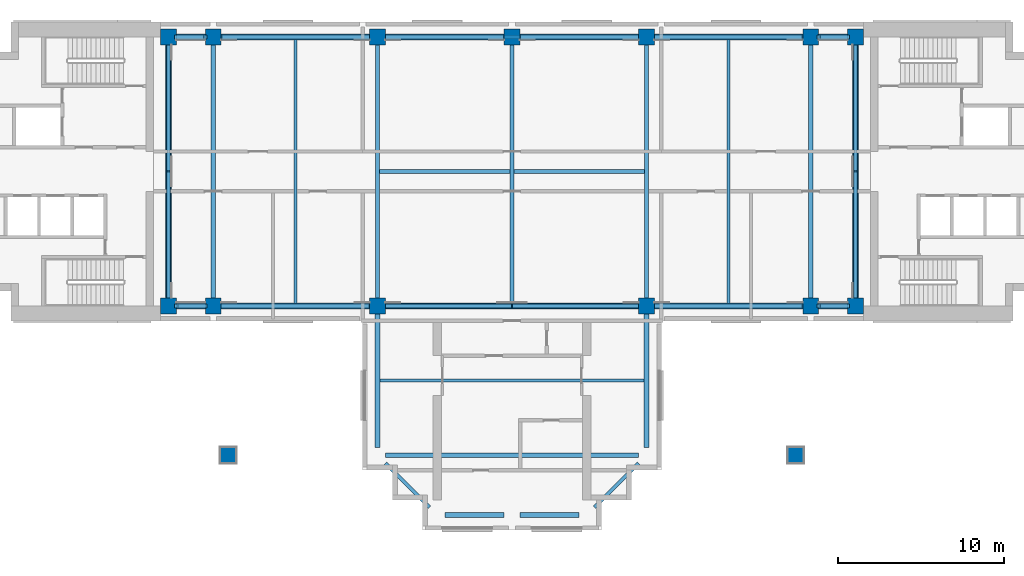
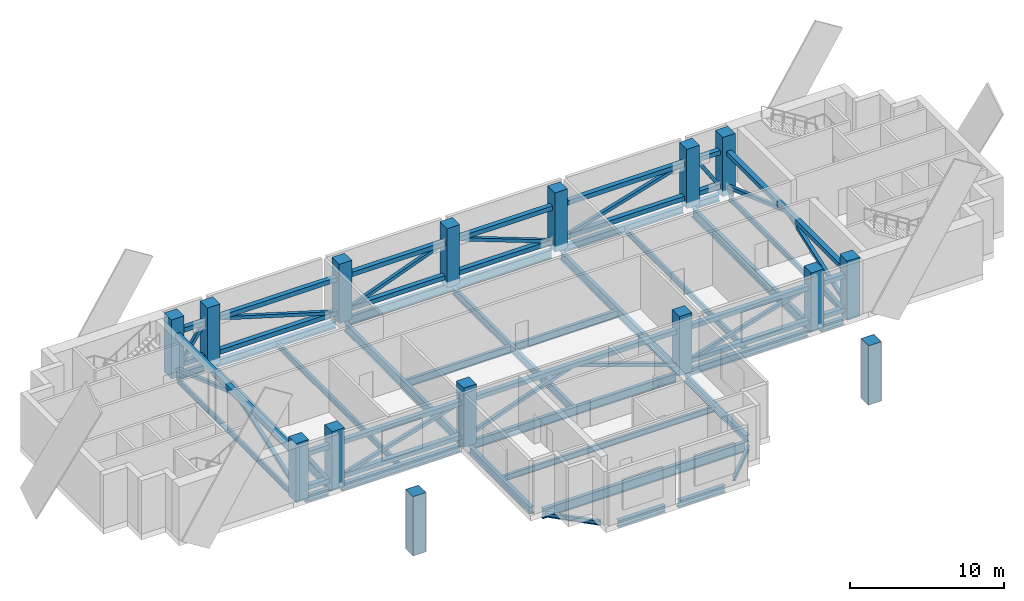
# One storey, part 1 of 8: 39 members, 29 beams, 15 columns.
"""IFC4 building model written with IfcOpenShell, lengths in metres."""

from ifc_helpers import new_model, si_unit, direction, frame, origin, origin_2d, place, context, subcontext, project, spatial, rectangle, hollow_rectangle, i_section, extrude, material, material_profile, profile_set, type_object, element, save


model = new_model("IFC4")

# Units and contexts
model_context = context("Model", 3, precision=1e-05, world=origin(), true_north=direction((0.0, 1.0)))
body_context = subcontext(model_context, "Body", "Model", "MODEL_VIEW")
ifc_project = project(units=[si_unit("LENGTHUNIT", "METRE"), si_unit("AREAUNIT", "SQUARE_METRE"), si_unit("VOLUMEUNIT", "CUBIC_METRE"), si_unit("PLANEANGLEUNIT", "RADIAN"), si_unit("MASSUNIT", "GRAM", prefix="KILO")], contexts=[model_context])

# Site, building, storey
site_placement = place(None, origin())
site = spatial("IfcSite", under=ifc_project, at=site_placement, CompositionType="ELEMENT")
building_placement = place(site_placement, origin())
building = spatial("IfcBuilding", under=site, at=building_placement, Name="Perihelion Cross Residences", CompositionType="ELEMENT")
storey_placement = place(building_placement, frame((0.0, 0.0, 228.0)))
storey = spatial("IfcBuildingStorey", under=building, at=storey_placement, Name="L57", CompositionType="ELEMENT", Elevation=228.0)

# Columns
ifc_material_1 = material(Name="Concrete C60/75", Category="concrete")
ifc_material_profile_1 = material_profile(ifc_material_1, rectangle(XDim=0.949951171875, YDim=0.949951171875, at=origin_2d()), Name="RC 950x950")
ifc_profile_set_1 = profile_set([ifc_material_profile_1], Name="Concrete C60/75")
column_type = type_object("IfcColumnType", Name="Reinforced concrete column 950x950 C60/75", PredefinedType="COLUMN", material=ifc_profile_set_1)
for number, where, z_axis, x_axis, name in (
    (1, (-20.699951171875, -8.10009765625, -0.449951171875), (0.0, 0.0, 1.0), (1.0, 0.0, 0.0), "Column C017 L57 no. 1"),
    (2, (-20.699951171875, 8.10009765625, -0.449951171875), (0.0, 0.0, 1.0), (1.0, 0.0, 0.0), "Column C010 L57 no. 1"),
    (3, (-18.0, -8.10009765625, -0.449951171875), (0.0, 0.0, 1.0), (1.0, 0.0, 0.0), "Column C018 L57 no. 1"),
    (4, (-18.0, 8.10009765625, -0.449951171875), (0.0, 0.0, 1.0), (1.0, 0.0, 0.0), "Column C011 L57 no. 1"),
    (5, (-8.10009765625, -8.10009765625, -0.449951171875), (0.0, 0.0, 1.0), (1.0, 0.0, 0.0), "Column C019 L57 no. 1"),
    (6, (-8.10009765625, 8.10009765625, -0.449951171875), (0.0, 0.0, 1.0), (1.0, 0.0, 0.0), "Column C012 L57 no. 1"),
    (7, (0.0, 8.10009765625, -0.449951171875), (0.0, 0.0, 1.0), (1.0, 0.0, 0.0), "Column C013 L57 no. 1"),
    (8, (8.10009765625, -8.10009765625, -0.449951171875), (0.0, 0.0, 1.0), (1.0, 0.0, 0.0), "Column C020 L57 no. 1"),
    (9, (8.10009765625, 8.10009765625, -0.449951171875), (0.0, 0.0, 1.0), (1.0, 0.0, 0.0), "Column C014 L57 no. 1"),
    (10, (18.0, -8.10009765625, -0.449951171875), (0.0, 0.0, 1.0), (1.0, 0.0, 0.0), "Column C021 L57 no. 1"),
    (11, (18.0, 8.10009765625, -0.449951171875), (0.0, 0.0, 1.0), (1.0, 0.0, 0.0), "Column C015 L57 no. 1"),
    (12, (20.699951171875, -8.10009765625, -0.449951171875), (0.0, 0.0, 1.0), (1.0, 0.0, 0.0), "Column C022 L57 no. 1"),
    (13, (20.699951171875, 8.10009765625, -0.449951171875), (0.0, 0.0, 1.0), (1.0, 0.0, 0.0), "Column C016 L57 no. 1"),
    (14, (-17.10009765625, -17.10009765625, -0.449951171875), (0.0, 0.0, 1.0), (1.0, 0.0, 0.0), "Column C030 L57 no. 1"),
    (15, (17.10009765625, -17.10009765625, -0.449951171875), (0.0, 0.0, 1.0), (1.0, 0.0, 0.0), "Column C036 L57 no. 1"),
):
    element("IfcColumn", number, at=place(storey_placement, frame(where, z_axis=z_axis, x_axis=x_axis)), inside=storey, type_object=column_type, Name=name, PredefinedType="COLUMN", context=body_context, shape_type="SweptSolid", body=[
        extrude(rectangle(XDim=0.949951171875, YDim=0.949951171875, at=origin_2d()), origin(), (0.0, 0.0, 1.0), 4.699951171875),
    ])

# Members
ifc_material_2 = material(Name="Steel S355", Category="steel")
ifc_material_profile_2 = material_profile(ifc_material_2, hollow_rectangle(XDim=0.35595703125, YDim=0.35595703125, WallThickness=0.015869140625, at=origin_2d()), Name="HSS355.6x355.6x15.9")
ifc_profile_set_2 = profile_set([ifc_material_profile_2], Name="Steel S355")
member_type_1 = type_object("IfcMemberType", Name="Belt truss chord HSS355.6x355.6x15.9", PredefinedType="CHORD", material=ifc_profile_set_2)
for number, where, z_axis, x_axis, name in (
    (16, (20.22509765625, 8.10009765625, 2.8720703125), (-1.0, 0.0, 0.0), (0.0, -1.0, 0.0), "Belt truss BT5 L57 top no. 11"),
    (17, (20.22509765625, 8.10009765625, 0.177978515625), (-1.0, 0.0, 0.0), (0.0, -1.0, 0.0), "Belt truss BT5 L57 bottom no. 8"),
):
    element("IfcMember", number, at=place(storey_placement, frame(where, z_axis=z_axis, x_axis=x_axis)), inside=storey, type_object=member_type_1, Name=name, PredefinedType="CHORD", context=body_context, shape_type="SweptSolid", body=[
        extrude(hollow_rectangle(XDim=0.35595703125, YDim=0.35595703125, WallThickness=0.015869140625, at=origin_2d()), origin(), (0.0, 0.0, 1.0), 1.75),
    ])
for number, where, z_axis, x_axis, name in (
    (18, (17.52490234375, 8.10009765625, 2.8720703125), (-1.0, 0.0, 0.0), (0.0, -1.0, 0.0), "Belt truss BT5 L57 top no. 9"),
    (19, (17.52490234375, 8.10009765625, 0.177978515625), (-1.0, 0.0, 0.0), (0.0, -1.0, 0.0), "Belt truss BT5 L57 bottom no. 7"),
):
    element("IfcMember", number, at=place(storey_placement, frame(where, z_axis=z_axis, x_axis=x_axis)), inside=storey, type_object=member_type_1, Name=name, PredefinedType="CHORD", context=body_context, shape_type="SweptSolid", body=[
        extrude(hollow_rectangle(XDim=0.35595703125, YDim=0.35595703125, WallThickness=0.015869140625, at=origin_2d()), origin(), (0.0, 0.0, 1.0), 8.949951171875),
    ])
for number, where, z_axis, x_axis, name in (
    (20, (7.625, 8.10009765625, 2.8720703125), (-1.0, 0.0, 0.0), (0.0, -1.0, 0.0), "Belt truss BT5 L57 top no. 13"),
    (21, (7.625, 8.10009765625, 0.177978515625), (-1.0, 0.0, 0.0), (0.0, -1.0, 0.0), "Belt truss BT5 L57 bottom no. 10"),
    (22, (-0.47509765625, 8.10009765625, 2.8720703125), (-1.0, 0.0, 0.0), (0.0, -1.0, 0.0), "Belt truss BT5 L57 top no. 7"),
    (23, (-0.47509765625, 8.10009765625, 0.177978515625), (-1.0, 0.0, 0.0), (0.0, -1.0, 0.0), "Belt truss BT5 L57 bottom no. 5"),
):
    element("IfcMember", number, at=place(storey_placement, frame(where, z_axis=z_axis, x_axis=x_axis)), inside=storey, type_object=member_type_1, Name=name, PredefinedType="CHORD", context=body_context, shape_type="SweptSolid", body=[
        extrude(hollow_rectangle(XDim=0.35595703125, YDim=0.35595703125, WallThickness=0.015869140625, at=origin_2d()), origin(), (0.0, 0.0, 1.0), 7.14990234375),
    ])
for number, where, z_axis, x_axis, name in (
    (24, (-8.574951171875, 8.10009765625, 2.8720703125), (-1.0, 0.0, 0.0), (0.0, -1.0, 0.0), "Belt truss BT5 L57 top no. 6"),
    (25, (-8.574951171875, 8.10009765625, 0.177978515625), (-1.0, 0.0, 0.0), (0.0, -1.0, 0.0), "Belt truss BT5 L57 bottom no. 4"),
):
    element("IfcMember", number, at=place(storey_placement, frame(where, z_axis=z_axis, x_axis=x_axis)), inside=storey, type_object=member_type_1, Name=name, PredefinedType="CHORD", context=body_context, shape_type="SweptSolid", body=[
        extrude(hollow_rectangle(XDim=0.35595703125, YDim=0.35595703125, WallThickness=0.015869140625, at=origin_2d()), origin(), (0.0, 0.0, 1.0), 8.949951171875),
    ])
for number, where, z_axis, x_axis, name in (
    (26, (-18.47509765625, 8.10009765625, 2.8720703125), (-1.0, 0.0, 0.0), (0.0, -1.0, 0.0), "Belt truss BT5 L57 top no. 2"),
    (27, (-18.47509765625, 8.10009765625, 0.177978515625), (-1.0, 0.0, 0.0), (0.0, -1.0, 0.0), "Belt truss BT5 L57 bottom no. 2"),
):
    element("IfcMember", number, at=place(storey_placement, frame(where, z_axis=z_axis, x_axis=x_axis)), inside=storey, type_object=member_type_1, Name=name, PredefinedType="CHORD", context=body_context, shape_type="SweptSolid", body=[
        extrude(hollow_rectangle(XDim=0.35595703125, YDim=0.35595703125, WallThickness=0.015869140625, at=origin_2d()), origin(), (0.0, 0.0, 1.0), 1.75),
    ])
member_1_placement = place(storey_placement, frame((-20.699951171875, 7.625, 2.8720703125), z_axis=(0.0, -1.0, 0.0), x_axis=(1.0, 0.0, 0.0)))
element("IfcMember", 28, at=member_1_placement, inside=storey, type_object=member_type_1, Name="Belt truss BT5 L57 top no. 4", PredefinedType="CHORD", context=body_context, shape_type="SweptSolid", body=[
    extrude(hollow_rectangle(XDim=0.35595703125, YDim=0.35595703125, WallThickness=0.015869140625, at=origin_2d()), origin(), (0.0, 0.0, 1.0), 15.25),
])
for number, where, z_axis, x_axis, name in (
    (29, (-20.22509765625, -8.10009765625, 2.8720703125), (1.0, 0.0, 0.0), (0.0, 1.0, 0.0), "Belt truss BT5 L57 top no. 3"),
    (30, (-20.22509765625, -8.10009765625, 0.177978515625), (1.0, 0.0, 0.0), (0.0, 1.0, 0.0), "Belt truss BT5 L57 bottom no. 3"),
):
    element("IfcMember", number, at=place(storey_placement, frame(where, z_axis=z_axis, x_axis=x_axis)), inside=storey, type_object=member_type_1, Name=name, PredefinedType="CHORD", context=body_context, shape_type="SweptSolid", body=[
        extrude(hollow_rectangle(XDim=0.35595703125, YDim=0.35595703125, WallThickness=0.015869140625, at=origin_2d()), origin(), (0.0, 0.0, 1.0), 1.75),
    ])
for number, where, z_axis, x_axis, name in (
    (31, (-17.52490234375, -8.10009765625, 2.8720703125), (1.0, 0.0, 0.0), (0.0, 1.0, 0.0), "Belt truss BT5 L57 top no. 1"),
    (32, (-17.52490234375, -8.10009765625, 0.177978515625), (1.0, 0.0, 0.0), (0.0, 1.0, 0.0), "Belt truss BT5 L57 bottom no. 1"),
):
    element("IfcMember", number, at=place(storey_placement, frame(where, z_axis=z_axis, x_axis=x_axis)), inside=storey, type_object=member_type_1, Name=name, PredefinedType="CHORD", context=body_context, shape_type="SweptSolid", body=[
        extrude(hollow_rectangle(XDim=0.35595703125, YDim=0.35595703125, WallThickness=0.015869140625, at=origin_2d()), origin(), (0.0, 0.0, 1.0), 8.949951171875),
    ])
member_2_placement = place(storey_placement, frame((-7.625, -8.10009765625, 2.8720703125), z_axis=(1.0, 0.0, 0.0), x_axis=(0.0, 1.0, 0.0)))
element("IfcMember", 33, at=member_2_placement, inside=storey, type_object=member_type_1, Name="Belt truss BT5 L57 top no. 5", PredefinedType="CHORD", context=body_context, shape_type="SweptSolid", body=[
    extrude(hollow_rectangle(XDim=0.35595703125, YDim=0.35595703125, WallThickness=0.015869140625, at=origin_2d()), origin(), (0.0, 0.0, 1.0), 15.25),
])
for number, where, z_axis, x_axis, name in (
    (34, (8.574951171875, -8.10009765625, 2.8720703125), (1.0, 0.0, 0.0), (0.0, 1.0, 0.0), "Belt truss BT5 L57 top no. 12"),
    (35, (8.574951171875, -8.10009765625, 0.177978515625), (1.0, 0.0, 0.0), (0.0, 1.0, 0.0), "Belt truss BT5 L57 bottom no. 9"),
):
    element("IfcMember", number, at=place(storey_placement, frame(where, z_axis=z_axis, x_axis=x_axis)), inside=storey, type_object=member_type_1, Name=name, PredefinedType="CHORD", context=body_context, shape_type="SweptSolid", body=[
        extrude(hollow_rectangle(XDim=0.35595703125, YDim=0.35595703125, WallThickness=0.015869140625, at=origin_2d()), origin(), (0.0, 0.0, 1.0), 8.949951171875),
    ])
for number, where, z_axis, x_axis, name in (
    (36, (18.47509765625, -8.10009765625, 2.8720703125), (1.0, 0.0, 0.0), (0.0, 1.0, 0.0), "Belt truss BT5 L57 top no. 8"),
    (37, (18.47509765625, -8.10009765625, 0.177978515625), (1.0, 0.0, 0.0), (0.0, 1.0, 0.0), "Belt truss BT5 L57 bottom no. 6"),
):
    element("IfcMember", number, at=place(storey_placement, frame(where, z_axis=z_axis, x_axis=x_axis)), inside=storey, type_object=member_type_1, Name=name, PredefinedType="CHORD", context=body_context, shape_type="SweptSolid", body=[
        extrude(hollow_rectangle(XDim=0.35595703125, YDim=0.35595703125, WallThickness=0.015869140625, at=origin_2d()), origin(), (0.0, 0.0, 1.0), 1.75),
    ])
member_3_placement = place(storey_placement, frame((20.699951171875, -7.625, 2.8720703125), z_axis=(0.0, 1.0, 0.0), x_axis=(-1.0, 0.0, 0.0)))
element("IfcMember", 38, at=member_3_placement, inside=storey, type_object=member_type_1, Name="Belt truss BT5 L57 top no. 10", PredefinedType="CHORD", context=body_context, shape_type="SweptSolid", body=[
    extrude(hollow_rectangle(XDim=0.35595703125, YDim=0.35595703125, WallThickness=0.015869140625, at=origin_2d()), origin(), (0.0, 0.0, 1.0), 15.25),
])
ifc_material_3 = material(Name="Steel S355", Category="steel")
ifc_material_profile_3 = material_profile(ifc_material_3, hollow_rectangle(XDim=0.25390625, YDim=0.25390625, WallThickness=0.0126953125, at=origin_2d()), Name="HSS254x254x12.7")
ifc_profile_set_3 = profile_set([ifc_material_profile_3], Name="Steel S355")
member_type_2 = type_object("IfcMemberType", Name="Belt truss diagonal HSS254x254x12.7", PredefinedType="BRACE", material=ifc_profile_set_3)
member_4_placement = place(storey_placement, frame((20.22509765625, 8.10009765625, 0.177978515625), z_axis=(-0.544734562652, 0.0, 0.838608523837), x_axis=(0.0, -1.0, 0.0)))
element("IfcMember", 39, at=member_4_placement, inside=storey, type_object=member_type_2, Name="Belt truss BT6 L57 diagonal no. 8", PredefinedType="BRACE", context=body_context, shape_type="SweptSolid", body=[
    extrude(hollow_rectangle(XDim=0.25390625, YDim=0.25390625, WallThickness=0.0126953125, at=origin_2d()), origin(), (0.0, 0.0, 1.0), 3.212646484375),
])
member_5_placement = place(storey_placement, frame((8.574951171875, 8.10009765625, 0.177978515625), z_axis=(0.957557711888, 0.0, 0.288241614629), x_axis=(0.0, 1.0, 0.0)))
element("IfcMember", 40, at=member_5_placement, inside=storey, type_object=member_type_2, Name="Belt truss BT6 L57 diagonal no. 7", PredefinedType="BRACE", context=body_context, shape_type="SweptSolid", body=[
    extrude(hollow_rectangle(XDim=0.25390625, YDim=0.25390625, WallThickness=0.0126953125, at=origin_2d()), origin(), (0.0, 0.0, 1.0), 9.3466796875),
])
for number, where, z_axis, x_axis, name in (
    (41, (7.625, 8.10009765625, 0.177978515625), (-0.935773868697, 0.0, 0.352600718468), (0.0, -1.0, 0.0), "Belt truss BT6 L57 diagonal no. 10"),
    (42, (-7.625, 8.10009765625, 0.177978515625), (0.935773868697, 0.0, 0.352600718468), (0.0, 1.0, 0.0), "Belt truss BT6 L57 diagonal no. 5"),
):
    element("IfcMember", number, at=place(storey_placement, frame(where, z_axis=z_axis, x_axis=x_axis)), inside=storey, type_object=member_type_2, Name=name, PredefinedType="BRACE", context=body_context, shape_type="SweptSolid", body=[
        extrude(hollow_rectangle(XDim=0.25390625, YDim=0.25390625, WallThickness=0.0126953125, at=origin_2d()), origin(), (0.0, 0.0, 1.0), 7.640625),
    ])
member_6_placement = place(storey_placement, frame((-8.574951171875, 8.10009765625, 0.177978515625), z_axis=(-0.957557711888, 0.0, 0.288241614629), x_axis=(0.0, -1.0, 0.0)))
element("IfcMember", 43, at=member_6_placement, inside=storey, type_object=member_type_2, Name="Belt truss BT6 L57 diagonal no. 4", PredefinedType="BRACE", context=body_context, shape_type="SweptSolid", body=[
    extrude(hollow_rectangle(XDim=0.25390625, YDim=0.25390625, WallThickness=0.0126953125, at=origin_2d()), origin(), (0.0, 0.0, 1.0), 9.3466796875),
])
member_7_placement = place(storey_placement, frame((-20.22509765625, 8.10009765625, 0.177978515625), z_axis=(0.544734562652, 0.0, 0.838608523837), x_axis=(0.0, 1.0, 0.0)))
element("IfcMember", 44, at=member_7_placement, inside=storey, type_object=member_type_2, Name="Belt truss BT6 L57 diagonal no. 2", PredefinedType="BRACE", context=body_context, shape_type="SweptSolid", body=[
    extrude(hollow_rectangle(XDim=0.25390625, YDim=0.25390625, WallThickness=0.0126953125, at=origin_2d()), origin(), (0.0, 0.0, 1.0), 3.212646484375),
])
for number, where, z_axis, x_axis, name in (
    (45, (-20.699951171875, 7.625, 0.177978515625), (0.0, -0.942877138298, 0.333140664098), (1.0, 0.0, 0.0), "Belt truss BT6 L57 diagonal A no. 1"),
    (46, (-20.699951171875, -7.625, 0.177978515625), (0.0, 0.942877138298, 0.333140664098), (-1.0, 0.0, 0.0), "Belt truss BT6 L57 diagonal B no. 1"),
):
    element("IfcMember", number, at=place(storey_placement, frame(where, z_axis=z_axis, x_axis=x_axis)), inside=storey, type_object=member_type_2, Name=name, PredefinedType="BRACE", context=body_context, shape_type="SweptSolid", body=[
        extrude(hollow_rectangle(XDim=0.25390625, YDim=0.25390625, WallThickness=0.0126953125, at=origin_2d()), origin(), (0.0, 0.0, 1.0), 8.0869140625),
    ])
member_8_placement = place(storey_placement, frame((-18.47509765625, -8.10009765625, 0.177978515625), z_axis=(-0.544734562652, 0.0, 0.838608523837), x_axis=(0.0, -1.0, 0.0)))
element("IfcMember", 47, at=member_8_placement, inside=storey, type_object=member_type_2, Name="Belt truss BT6 L57 diagonal no. 3", PredefinedType="BRACE", context=body_context, shape_type="SweptSolid", body=[
    extrude(hollow_rectangle(XDim=0.25390625, YDim=0.25390625, WallThickness=0.0126953125, at=origin_2d()), origin(), (0.0, 0.0, 1.0), 3.212646484375),
])
member_9_placement = place(storey_placement, frame((-17.52490234375, -8.10009765625, 0.177978515625), z_axis=(0.957557711888, 0.0, 0.288241614629), x_axis=(0.0, 1.0, 0.0)))
element("IfcMember", 48, at=member_9_placement, inside=storey, type_object=member_type_2, Name="Belt truss BT6 L57 diagonal no. 1", PredefinedType="BRACE", context=body_context, shape_type="SweptSolid", body=[
    extrude(hollow_rectangle(XDim=0.25390625, YDim=0.25390625, WallThickness=0.0126953125, at=origin_2d()), origin(), (0.0, 0.0, 1.0), 9.3466796875),
])
for number, where, z_axis, x_axis, name in (
    (49, (-7.625, -8.10009765625, 0.177978515625), (0.942877138298, 0.0, 0.333140664098), (0.0, 1.0, 0.0), "Belt truss BT6 L57 diagonal A no. 2"),
    (50, (7.625, -8.10009765625, 0.177978515625), (-0.942877138298, 0.0, 0.333140664098), (0.0, -1.0, 0.0), "Belt truss BT6 L57 diagonal B no. 2"),
):
    element("IfcMember", number, at=place(storey_placement, frame(where, z_axis=z_axis, x_axis=x_axis)), inside=storey, type_object=member_type_2, Name=name, PredefinedType="BRACE", context=body_context, shape_type="SweptSolid", body=[
        extrude(hollow_rectangle(XDim=0.25390625, YDim=0.25390625, WallThickness=0.0126953125, at=origin_2d()), origin(), (0.0, 0.0, 1.0), 8.0869140625),
    ])
member_10_placement = place(storey_placement, frame((8.574951171875, -8.10009765625, 0.177978515625), z_axis=(0.957557711888, 0.0, 0.288241614629), x_axis=(0.0, 1.0, 0.0)))
element("IfcMember", 51, at=member_10_placement, inside=storey, type_object=member_type_2, Name="Belt truss BT6 L57 diagonal no. 9", PredefinedType="BRACE", context=body_context, shape_type="SweptSolid", body=[
    extrude(hollow_rectangle(XDim=0.25390625, YDim=0.25390625, WallThickness=0.0126953125, at=origin_2d()), origin(), (0.0, 0.0, 1.0), 9.3466796875),
])
member_11_placement = place(storey_placement, frame((20.22509765625, -8.10009765625, 0.177978515625), z_axis=(-0.544734562652, 0.0, 0.838608523837), x_axis=(0.0, -1.0, 0.0)))
element("IfcMember", 52, at=member_11_placement, inside=storey, type_object=member_type_2, Name="Belt truss BT6 L57 diagonal no. 6", PredefinedType="BRACE", context=body_context, shape_type="SweptSolid", body=[
    extrude(hollow_rectangle(XDim=0.25390625, YDim=0.25390625, WallThickness=0.0126953125, at=origin_2d()), origin(), (0.0, 0.0, 1.0), 3.212646484375),
])
for number, where, z_axis, x_axis, name in (
    (53, (20.699951171875, -7.625, 0.177978515625), (0.0, 0.942877138298, 0.333140664098), (-1.0, 0.0, 0.0), "Belt truss BT6 L57 diagonal A no. 3"),
    (54, (20.699951171875, 7.625, 0.177978515625), (0.0, -0.942877138298, 0.333140664098), (1.0, 0.0, 0.0), "Belt truss BT6 L57 diagonal B no. 3"),
):
    element("IfcMember", number, at=place(storey_placement, frame(where, z_axis=z_axis, x_axis=x_axis)), inside=storey, type_object=member_type_2, Name=name, PredefinedType="BRACE", context=body_context, shape_type="SweptSolid", body=[
        extrude(hollow_rectangle(XDim=0.25390625, YDim=0.25390625, WallThickness=0.0126953125, at=origin_2d()), origin(), (0.0, 0.0, 1.0), 8.0869140625),
    ])

# Beams
ifc_material_4 = material(Name="Steel S355", Category="steel")
ifc_material_profile_4 = material_profile(ifc_material_4, i_section(OverallWidth=0.180908203125, OverallDepth=0.4169921875, WebThickness=0.010986328125, FlangeThickness=0.018310546875, at=origin_2d()), Name="W410x85")
ifc_profile_set_4 = profile_set([ifc_material_profile_4], Name="Steel S355")
beam_type_1 = type_object("IfcBeamType", Name="Core edge beam W410x85", PredefinedType="BEAM", material=ifc_profile_set_4)
for number, where, z_axis, x_axis, name in (
    (55, (20.699951171875, -7.625, -0.658447265625), (0.0, 1.0, 0.0), (-1.0, 0.0, 0.0), "Core edge beam TB6 L57 no. 2"),
    (56, (-20.699951171875, -7.625, -0.658447265625), (0.0, 1.0, 0.0), (-1.0, 0.0, 0.0), "Core edge beam TB6 L57 no. 1"),
):
    element("IfcBeam", number, at=place(storey_placement, frame(where, z_axis=z_axis, x_axis=x_axis)), inside=storey, type_object=beam_type_1, Name=name, PredefinedType="BEAM", context=body_context, shape_type="SweptSolid", body=[
        extrude(i_section(OverallWidth=0.180908203125, OverallDepth=0.4169921875, WebThickness=0.010986328125, FlangeThickness=0.018310546875, at=origin_2d()), origin(), (0.0, 0.0, 1.0), 15.25),
    ])
ifc_material_5 = material(Name="Steel S355", Category="steel")
ifc_material_profile_5 = material_profile(ifc_material_5, i_section(OverallWidth=0.31201171875, OverallDepth=0.5439453125, WebThickness=0.0126953125, FlangeThickness=0.020263671875, at=origin_2d()), Name="W530x150")
ifc_profile_set_5 = profile_set([ifc_material_profile_5], Name="Steel S355")
beam_type_2 = type_object("IfcBeamType", Name="Edge beam W530x150", PredefinedType="SPANDREL", material=ifc_profile_set_5)
beam_1_placement = place(storey_placement, frame((20.22509765625, 8.10009765625, -0.721923828125), z_axis=(-1.0, 0.0, 0.0), x_axis=(0.0, -1.0, 0.0)))
element("IfcBeam", 57, at=beam_1_placement, inside=storey, type_object=beam_type_2, Name="Edge beam SB4 L57 no. 10", PredefinedType="SPANDREL", context=body_context, shape_type="SweptSolid", body=[
    extrude(i_section(OverallWidth=0.31201171875, OverallDepth=0.5439453125, WebThickness=0.0126953125, FlangeThickness=0.020263671875, at=origin_2d()), origin(), (0.0, 0.0, 1.0), 1.75),
])
for number, where, z_axis, x_axis, name in (
    (58, (17.52490234375, 8.10009765625, -0.721923828125), (-1.0, 0.0, 0.0), (0.0, -1.0, 0.0), "Edge beam SB4 L57 no. 9"),
    (59, (-8.574951171875, 8.10009765625, -0.721923828125), (-1.0, 0.0, 0.0), (0.0, -1.0, 0.0), "Edge beam SB4 L57 no. 6"),
):
    element("IfcBeam", number, at=place(storey_placement, frame(where, z_axis=z_axis, x_axis=x_axis)), inside=storey, type_object=beam_type_2, Name=name, PredefinedType="SPANDREL", context=body_context, shape_type="SweptSolid", body=[
        extrude(i_section(OverallWidth=0.31201171875, OverallDepth=0.5439453125, WebThickness=0.0126953125, FlangeThickness=0.020263671875, at=origin_2d()), origin(), (0.0, 0.0, 1.0), 8.949951171875),
    ])
for number, where, z_axis, x_axis, name in (
    (60, (-18.47509765625, 8.10009765625, -0.721923828125), (-1.0, 0.0, 0.0), (0.0, -1.0, 0.0), "Edge beam SB4 L57 no. 2"),
    (61, (-20.22509765625, -8.10009765625, -0.721923828125), (1.0, 0.0, 0.0), (0.0, 1.0, 0.0), "Edge beam SB4 L57 no. 3"),
):
    element("IfcBeam", number, at=place(storey_placement, frame(where, z_axis=z_axis, x_axis=x_axis)), inside=storey, type_object=beam_type_2, Name=name, PredefinedType="SPANDREL", context=body_context, shape_type="SweptSolid", body=[
        extrude(i_section(OverallWidth=0.31201171875, OverallDepth=0.5439453125, WebThickness=0.0126953125, FlangeThickness=0.020263671875, at=origin_2d()), origin(), (0.0, 0.0, 1.0), 1.75),
    ])
beam_2_placement = place(storey_placement, frame((-17.52490234375, -8.10009765625, -0.721923828125), z_axis=(1.0, 0.0, 0.0), x_axis=(0.0, 1.0, 0.0)))
element("IfcBeam", 62, at=beam_2_placement, inside=storey, type_object=beam_type_2, Name="Edge beam SB4 L57 no. 1", PredefinedType="SPANDREL", context=body_context, shape_type="SweptSolid", body=[
    extrude(i_section(OverallWidth=0.31201171875, OverallDepth=0.5439453125, WebThickness=0.0126953125, FlangeThickness=0.020263671875, at=origin_2d()), origin(), (0.0, 0.0, 1.0), 8.949951171875),
])
beam_3_placement = place(storey_placement, frame((-8.10009765625, -8.574951171875, -0.721923828125), z_axis=(0.0, -1.0, 0.0), x_axis=(1.0, 0.0, 0.0)))
element("IfcBeam", 63, at=beam_3_placement, inside=storey, type_object=beam_type_2, Name="Edge beam SB4 L57 no. 5", PredefinedType="SPANDREL", context=body_context, shape_type="SweptSolid", body=[
    extrude(i_section(OverallWidth=0.31201171875, OverallDepth=0.5439453125, WebThickness=0.0126953125, FlangeThickness=0.020263671875, at=origin_2d()), origin(), (0.0, 0.0, 1.0), 8.050048828125),
])
for number, where, z_axis, x_axis, name in (
    (64, (-4.02490234375, -20.699951171875, -0.721923828125), (1.0, 0.0, 0.0), (0.0, 1.0, 0.0), "Edge beam SB4 L57 no. 4"),
    (65, (0.47509765625, -20.699951171875, -0.721923828125), (1.0, 0.0, 0.0), (0.0, 1.0, 0.0), "Edge beam SB4 L57 no. 7"),
):
    element("IfcBeam", number, at=place(storey_placement, frame(where, z_axis=z_axis, x_axis=x_axis)), inside=storey, type_object=beam_type_2, Name=name, PredefinedType="SPANDREL", context=body_context, shape_type="SweptSolid", body=[
        extrude(i_section(OverallWidth=0.31201171875, OverallDepth=0.5439453125, WebThickness=0.0126953125, FlangeThickness=0.020263671875, at=origin_2d()), origin(), (0.0, 0.0, 1.0), 3.5498046875),
    ])
beam_4_placement = place(storey_placement, frame((8.10009765625, -16.625, -0.721923828125), z_axis=(0.0, 1.0, 0.0), x_axis=(-1.0, 0.0, 0.0)))
element("IfcBeam", 66, at=beam_4_placement, inside=storey, type_object=beam_type_2, Name="Edge beam SB4 L57 no. 11", PredefinedType="SPANDREL", context=body_context, shape_type="SweptSolid", body=[
    extrude(i_section(OverallWidth=0.31201171875, OverallDepth=0.5439453125, WebThickness=0.0126953125, FlangeThickness=0.020263671875, at=origin_2d()), origin(), (0.0, 0.0, 1.0), 8.050048828125),
])
beam_5_placement = place(storey_placement, frame((8.574951171875, -8.10009765625, -0.721923828125), z_axis=(1.0, 0.0, 0.0), x_axis=(0.0, 1.0, 0.0)))
element("IfcBeam", 67, at=beam_5_placement, inside=storey, type_object=beam_type_2, Name="Edge beam SB4 L57 no. 12", PredefinedType="SPANDREL", context=body_context, shape_type="SweptSolid", body=[
    extrude(i_section(OverallWidth=0.31201171875, OverallDepth=0.5439453125, WebThickness=0.0126953125, FlangeThickness=0.020263671875, at=origin_2d()), origin(), (0.0, 0.0, 1.0), 8.949951171875),
])
beam_6_placement = place(storey_placement, frame((18.47509765625, -8.10009765625, -0.721923828125), z_axis=(1.0, 0.0, 0.0), x_axis=(0.0, 1.0, 0.0)))
element("IfcBeam", 68, at=beam_6_placement, inside=storey, type_object=beam_type_2, Name="Edge beam SB4 L57 no. 8", PredefinedType="SPANDREL", context=body_context, shape_type="SweptSolid", body=[
    extrude(i_section(OverallWidth=0.31201171875, OverallDepth=0.5439453125, WebThickness=0.0126953125, FlangeThickness=0.020263671875, at=origin_2d()), origin(), (0.0, 0.0, 1.0), 1.75),
])
ifc_material_6 = material(Name="Steel S355", Category="steel")
ifc_material_profile_6 = material_profile(ifc_material_6, i_section(OverallWidth=0.26708984375, OverallDepth=0.77001953125, WebThickness=0.015625, FlangeThickness=0.025390625, at=origin_2d()), Name="W760x196")
ifc_profile_set_6 = profile_set([ifc_material_profile_6], Name="Steel S355")
beam_type_3 = type_object("IfcBeamType", Name="Floor girder W760x196", PredefinedType="BEAM", material=ifc_profile_set_6)
for number, where, z_axis, x_axis, name in (
    (69, (18.0, -7.625, -0.8349609375), (0.0, 1.0, 0.0), (-1.0, 0.0, 0.0), "Girder G4 L57 no. 2"),
    (70, (-7.625, -17.10009765625, -0.8349609375), (1.0, 0.0, 0.0), (0.0, 1.0, 0.0), "Girder G4 L57 no. 3"),
    (71, (-18.0, -7.625, -0.8349609375), (0.0, 1.0, 0.0), (-1.0, 0.0, 0.0), "Girder G4 L57 no. 1"),
):
    element("IfcBeam", number, at=place(storey_placement, frame(where, z_axis=z_axis, x_axis=x_axis)), inside=storey, type_object=beam_type_3, Name=name, PredefinedType="BEAM", context=body_context, shape_type="SweptSolid", body=[
        extrude(i_section(OverallWidth=0.26708984375, OverallDepth=0.77001953125, WebThickness=0.015625, FlangeThickness=0.025390625, at=origin_2d()), origin(), (0.0, 0.0, 1.0), 15.25),
    ])
ifc_material_7 = material(Name="Steel S355", Category="steel")
ifc_material_profile_7 = material_profile(ifc_material_7, i_section(OverallWidth=0.19091796875, OverallDepth=0.45703125, WebThickness=0.009033203125, FlangeThickness=0.014404296875, at=origin_2d()), Name="W460x74")
ifc_profile_set_7 = profile_set([ifc_material_profile_7], Name="Steel S355")
beam_type_4 = type_object("IfcBeamType", Name="Floor joist W460x74", PredefinedType="JOIST", material=ifc_profile_set_7)
for number, where, z_axis, x_axis, name in (
    (72, (13.050048828125, -7.944091796875, -0.678466796875), (0.0, 1.0, 0.0), (-1.0, 0.0, 0.0), "Joist J5 L57 no. 2"),
    (73, (-7.944091796875, -12.60009765625, -0.678466796875), (1.0, 0.0, 0.0), (0.0, 1.0, 0.0), "Joist J5 L57 no. 3"),
    (74, (-13.050048828125, -7.944091796875, -0.678466796875), (0.0, 1.0, 0.0), (-1.0, 0.0, 0.0), "Joist J5 L57 no. 1"),
):
    element("IfcBeam", number, at=place(storey_placement, frame(where, z_axis=z_axis, x_axis=x_axis)), inside=storey, type_object=beam_type_4, Name=name, PredefinedType="JOIST", context=body_context, shape_type="SweptSolid", body=[
        extrude(i_section(OverallWidth=0.19091796875, OverallDepth=0.45703125, WebThickness=0.009033203125, FlangeThickness=0.014404296875, at=origin_2d()), origin(), (0.0, 0.0, 1.0), 15.88818359375),
    ])
ifc_material_8 = material(Name="Steel S355", Category="steel")
ifc_material_profile_8 = material_profile(ifc_material_8, i_section(OverallWidth=0.22900390625, OverallDepth=0.612060546875, WebThickness=0.011962890625, FlangeThickness=0.01953125, at=origin_2d()), Name="W610x125")
ifc_profile_set_8 = profile_set([ifc_material_profile_8], Name="Steel S355")
beam_type_5 = type_object("IfcBeamType", Name="Hub cross beam W610x125", PredefinedType="BEAM", material=ifc_profile_set_8)
beam_7_placement = place(storey_placement, frame((0.0, -7.971435546875, -0.756103515625), z_axis=(0.0, 1.0, 0.0), x_axis=(-1.0, 0.0, 0.0)))
element("IfcBeam", 75, at=beam_7_placement, inside=storey, type_object=beam_type_5, Name="Hub cross beam XB4 L57 no. 1", PredefinedType="BEAM", context=body_context, shape_type="SweptSolid", body=[
    extrude(i_section(OverallWidth=0.22900390625, OverallDepth=0.612060546875, WebThickness=0.011962890625, FlangeThickness=0.01953125, at=origin_2d()), origin(), (0.0, 0.0, 1.0), 15.596435546875),
])
for number, where, z_axis, x_axis, name in (
    (76, (-7.971435546875, 0.0, -0.756103515625), (1.0, 0.0, 0.0), (0.0, 1.0, 0.0), "Hub cross beam XB4 L57 1 no. 1"),
    (77, (0.114501953125, 0.0, -0.756103515625), (1.0, 0.0, 0.0), (0.0, 1.0, 0.0), "Hub cross beam XB4 L57 2 no. 1"),
):
    element("IfcBeam", number, at=place(storey_placement, frame(where, z_axis=z_axis, x_axis=x_axis)), inside=storey, type_object=beam_type_5, Name=name, PredefinedType="BEAM", context=body_context, shape_type="SweptSolid", body=[
        extrude(i_section(OverallWidth=0.22900390625, OverallDepth=0.612060546875, WebThickness=0.011962890625, FlangeThickness=0.01953125, at=origin_2d()), origin(), (0.0, 0.0, 1.0), 7.85693359375),
    ])
ifc_material_9 = material(Name="Steel S355", Category="steel")
ifc_material_profile_9 = material_profile(ifc_material_9, i_section(OverallWidth=0.257080078125, OverallDepth=0.693115234375, WebThickness=0.014404296875, FlangeThickness=0.023681640625, at=origin_2d()), Name="W690x170")
ifc_profile_set_9 = profile_set([ifc_material_profile_9], Name="Steel S355")
beam_type_6 = type_object("IfcBeamType", Name="Hub ring girder W690x170", PredefinedType="BEAM", material=ifc_profile_set_9)
for number, where, z_axis, x_axis, name in (
    (78, (-7.625, -8.10009765625, -0.79638671875), (1.0, 0.0, 0.0), (0.0, 1.0, 0.0), "Hub ring girder RG4 L57 no. 1"),
    (79, (8.10009765625, -7.625, -0.79638671875), (0.0, 1.0, 0.0), (-1.0, 0.0, 0.0), "Hub ring girder RG4 L57 no. 3"),
    (80, (7.625, 8.10009765625, -0.79638671875), (-1.0, 0.0, 0.0), (0.0, -1.0, 0.0), "Hub ring girder RG4 L57 no. 4"),
    (81, (-8.10009765625, 7.625, -0.79638671875), (0.0, -1.0, 0.0), (1.0, 0.0, 0.0), "Hub ring girder RG4 L57 no. 2"),
):
    element("IfcBeam", number, at=place(storey_placement, frame(where, z_axis=z_axis, x_axis=x_axis)), inside=storey, type_object=beam_type_6, Name=name, PredefinedType="BEAM", context=body_context, shape_type="SweptSolid", body=[
        extrude(i_section(OverallWidth=0.257080078125, OverallDepth=0.693115234375, WebThickness=0.014404296875, FlangeThickness=0.023681640625, at=origin_2d()), origin(), (0.0, 0.0, 1.0), 15.25),
    ])
ifc_material_10 = material(Name="Steel S355", Category="steel")
ifc_material_profile_10 = material_profile(ifc_material_10, i_section(OverallWidth=0.205078125, OverallDepth=0.35302734375, WebThickness=0.009521484375, FlangeThickness=0.016845703125, at=origin_2d()), Name="W360x79")
ifc_profile_set_10 = profile_set([ifc_material_profile_10], Name="Steel S355")
beam_type_7 = type_object("IfcBeamType", Name="Serration edge beam W360x79", PredefinedType="BEAM", material=ifc_profile_set_10)
for number, where, z_axis, x_axis, name in (
    (82, (4.97509765625, -20.22509765625, -0.62646484375), (0.70707420838, 0.707139352493, 0.0), (-0.707139352493, 0.70707420838, 0.0), "Serration edge beam EB4 L57 no. 2"),
    (83, (-7.625, -17.574951171875, -0.62646484375), (0.70707420838, -0.707139352493, 0.0), (0.707139352493, 0.70707420838, 0.0), "Serration edge beam EB4 L57 no. 1"),
):
    element("IfcBeam", number, at=place(storey_placement, frame(where, z_axis=z_axis, x_axis=x_axis)), inside=storey, type_object=beam_type_7, Name=name, PredefinedType="BEAM", context=body_context, shape_type="SweptSolid", body=[
        extrude(i_section(OverallWidth=0.205078125, OverallDepth=0.35302734375, WebThickness=0.009521484375, FlangeThickness=0.016845703125, at=origin_2d()), origin(), (0.0, 0.0, 1.0), 3.747802734375),
    ])

save(model, "model.ifc")
